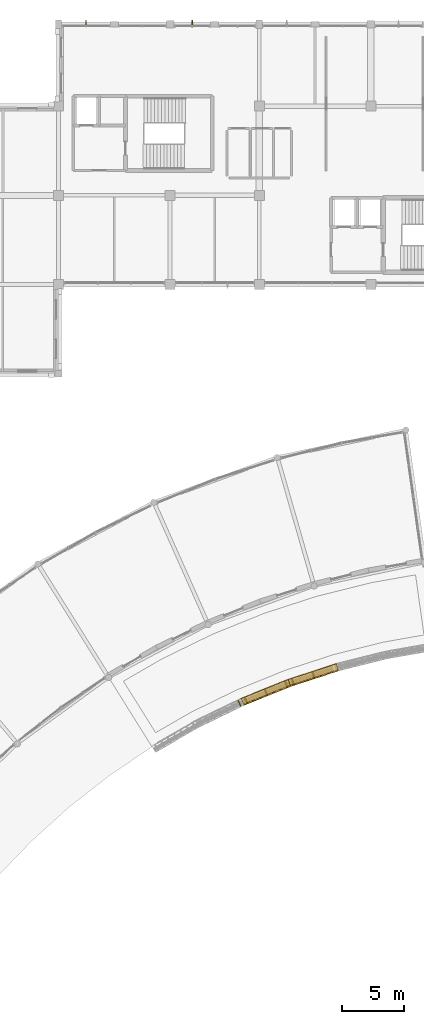
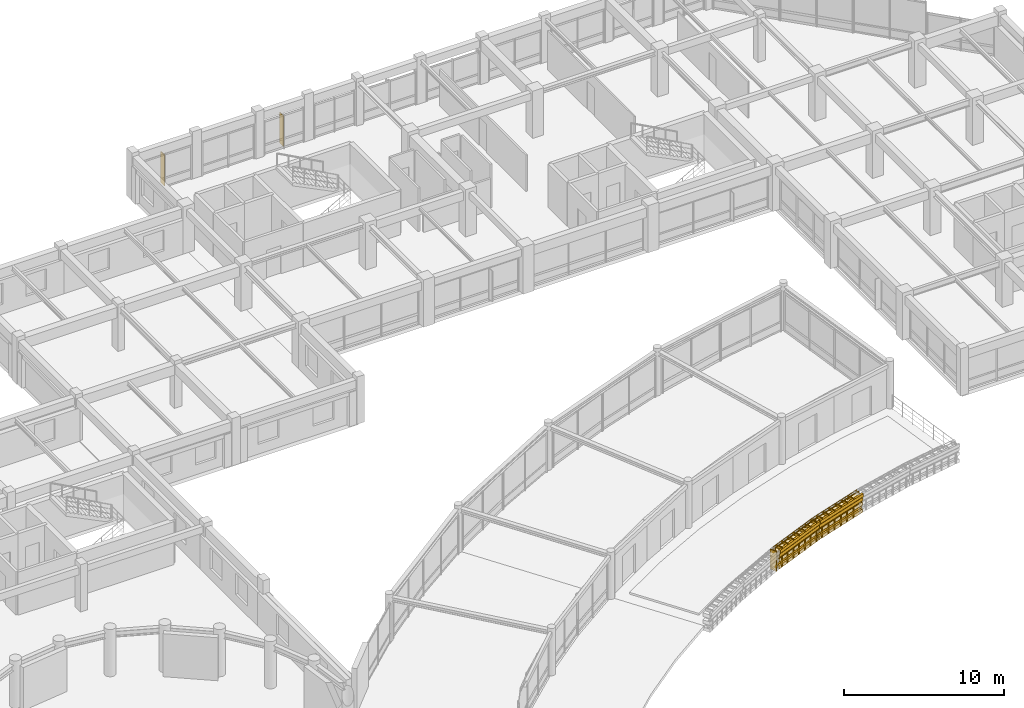
# One storey, part 72 of 74: 26 shading devices, 12 coverings, 4 railings.
"""IFC4 building model written with IfcOpenShell, lengths in metres."""

from ifc_helpers import new_model, si_unit, direction, frame, frame_2d, origin, origin_2d, place, context, subcontext, project, spatial, rectangle, circle, extrude, material, layer, layer_set, type_object, element, save


model = new_model("IFC4")

# Units and contexts
model_context = context("Model", 3, precision=1e-05, world=origin(), true_north=direction((0.0, 1.0)))
body_context = subcontext(model_context, "Body", "Model", "MODEL_VIEW")
ifc_project = project(units=[si_unit("LENGTHUNIT", "METRE"), si_unit("AREAUNIT", "SQUARE_METRE"), si_unit("VOLUMEUNIT", "CUBIC_METRE"), si_unit("PLANEANGLEUNIT", "RADIAN"), si_unit("MASSUNIT", "GRAM", prefix="KILO")], contexts=[model_context])

# Site, building, storey
site_placement = place(None, origin())
site = spatial("IfcSite", under=ifc_project, at=site_placement, CompositionType="ELEMENT")
building_placement = place(site_placement, origin())
building = spatial("IfcBuilding", under=site, at=building_placement, Name="Clarverna Civic Hall", CompositionType="ELEMENT")
storey_placement = place(building_placement, frame((0.0, 0.0, 9.60009765625)))
storey = spatial("IfcBuildingStorey", under=building, at=storey_placement, Name="L02", CompositionType="ELEMENT", Elevation=9.60009765625)

# Coverings
ifc_material_1 = material(Name="Thermally Modified Teak Wood Slat Fascia Cladding", Category="wood")
ifc_layer_1 = layer(ifc_material_1, 0.080078125)
ifc_layer_set_1 = layer_set([ifc_layer_1], Name="Thermally Modified Teak Wood Slat Fascia Cladding")
covering_type = type_object("IfcCoveringType", Name="CV-CL1", PredefinedType="CLADDING", material=ifc_layer_set_1)
for number, where, z_axis, x_axis, name in (
    (1, (135.9033203125, 64.15869140625, -0.380126953125), (0.0, 0.0, 1.0), (-0.951061260164, -0.309002393867, 0.0), "CV-CL1-105"),
    (2, (135.9033203125, 64.15869140625, 0.159912109375), (0.0, 0.0, 1.0), (-0.951061260164, -0.309002393867, 0.0), "CV-CL1-106"),
):
    element("IfcCovering", number, at=place(storey_placement, frame(where, z_axis=z_axis, x_axis=x_axis)), inside=storey, type_object=covering_type, Name=name, PredefinedType="CLADDING", context=body_context, shape_type="SweptSolid", body=[
        extrude(rectangle(XDim=4.09033203125, YDim=0.5, at=frame_2d((2.045166015625, 0.0))), origin(), (0.0, 0.0, 1.0), 0.260009765625),
    ])
covering_1_placement = place(storey_placement, frame((135.9033203125, 64.15869140625, 0.679931640625), z_axis=(0.0, 0.0, 1.0), x_axis=(-0.951061260164, -0.309002393867, 0.0)))
element("IfcCovering", 3, at=covering_1_placement, inside=storey, type_object=covering_type, Name="CV-CL1-107", PredefinedType="CLADDING", context=body_context, shape_type="SweptSolid", body=[
    extrude(rectangle(XDim=4.09033203125, YDim=0.5, at=frame_2d((2.045166015625, 0.0))), origin(), (0.0, 0.0, 1.0), 0.280029296875),
])
for number, where, z_axis, x_axis, name in (
    (4, (133.890380859375, 63.736083984375, -0.360107421875), (0.0, 0.0, 1.0), (0.309041914367, -0.951048418938, 0.0), "CV-CL1-109"),
    (5, (132.22314453125, 63.1943359375, -0.360107421875), (0.0, 0.0, 1.0), (0.309041914367, -0.951048418938, 0.0), "CV-CL1-110"),
):
    element("IfcCovering", number, at=place(storey_placement, frame(where, z_axis=z_axis, x_axis=x_axis)), inside=storey, type_object=covering_type, Name=name, PredefinedType="CLADDING", context=body_context, shape_type="SweptSolid", body=[
        extrude(rectangle(XDim=0.5, YDim=0.070068359375, at=frame_2d((0.25, 0.0))), origin(), (0.0, 0.0, 1.0), 1.52001953125),
    ])
for number, where, z_axis, x_axis, name in (
    (6, (132.02490234375, 62.899169921875, -0.380126953125), (0.0, 0.0, 1.0), (-0.927178450904, -0.374619967673, 0.0), "CV-CL1-111"),
    (7, (132.02490234375, 62.899169921875, 0.159912109375), (0.0, 0.0, 1.0), (-0.927178450904, -0.374619967673, 0.0), "CV-CL1-112"),
):
    element("IfcCovering", number, at=place(storey_placement, frame(where, z_axis=z_axis, x_axis=x_axis)), inside=storey, type_object=covering_type, Name=name, PredefinedType="CLADDING", context=body_context, shape_type="SweptSolid", body=[
        extrude(rectangle(XDim=4.090087890625, YDim=0.5, at=frame_2d((2.044921875, 0.0))), origin(), (0.0, 0.0, 1.0), 0.260009765625),
    ])
covering_2_placement = place(storey_placement, frame((132.02490234375, 62.899169921875, 0.679931640625), z_axis=(0.0, 0.0, 1.0), x_axis=(-0.927178450904, -0.374619967673, 0.0)))
element("IfcCovering", 8, at=covering_2_placement, inside=storey, type_object=covering_type, Name="CV-CL1-113", PredefinedType="CLADDING", context=body_context, shape_type="SweptSolid", body=[
    extrude(rectangle(XDim=4.090087890625, YDim=0.5, at=frame_2d((2.044921875, 0.0))), origin(), (0.0, 0.0, 1.0), 0.280029296875),
])
for number, where, z_axis, x_axis, name in (
    (9, (131.671630859375, 62.99365234375, -0.360107421875), (0.0, 0.0, 1.0), (0.374503415005, -0.927225534673, 0.0), "CV-CL1-114"),
    (10, (130.04638671875, 62.3369140625, -0.360107421875), (0.0, 0.0, 1.0), (0.374503415005, -0.927225534673, 0.0), "CV-CL1-115"),
    (11, (128.421142578125, 61.680419921875, -0.360107421875), (0.0, 0.0, 1.0), (0.374503415005, -0.927225534673, 0.0), "CV-CL1-116"),
    (12, (127.885009765625, 61.441650390625, -0.360107421875), (0.0, 0.0, 1.0), (0.438404394789, -0.898777829405, 0.0), "CV-CL1-120"),
):
    element("IfcCovering", number, at=place(storey_placement, frame(where, z_axis=z_axis, x_axis=x_axis)), inside=storey, type_object=covering_type, Name=name, PredefinedType="CLADDING", context=body_context, shape_type="SweptSolid", body=[
        extrude(rectangle(XDim=0.5, YDim=0.070068359375, at=frame_2d((0.25, 0.0))), origin(), (0.0, 0.0, 1.0), 1.52001953125),
    ])

# Railings
ifc_material_2 = material(Name="Anodised Bronze Architectural Balustrade")
railing_type_1 = type_object("IfcRailingType", Name="GR-01", PredefinedType="BALUSTRADE", material=ifc_material_2)
railing_1_placement = place(storey_placement, frame((135.8291015625, 64.386962890625, 0.0)))
element("IfcRailing", 13, at=railing_1_placement, inside=storey, type_object=railing_type_1, Name="GR-01-019", PredefinedType="BALUSTRADE", context=body_context, shape_type="SweptSolid", body=[
    extrude(circle(Radius=0.02392578125, at=origin_2d()), frame((0.0, 0.0, 1.09619140625), z_axis=(-0.951055560564, -0.309019935796, 0.0), x_axis=(0.309019935796, -0.951055560564, 0.0)), (0.0, 0.0, 1.0), 4.090087890625),
    extrude(circle(Radius=0.011962890625, at=origin_2d()), frame((0.0, 0.0, 0.39208984375), z_axis=(-0.951055560564, -0.309019935796, 0.0), x_axis=(0.309019935796, -0.951055560564, 0.0)), (0.0, 0.0, 1.0), 4.090087890625),
    extrude(circle(Radius=0.011962890625, at=origin_2d()), frame((0.0, 0.0, 0.76171875), z_axis=(-0.951055560564, -0.309019935796, 0.0), x_axis=(0.309019935796, -0.951055560564, 0.0)), (0.0, 0.0, 1.0), 4.090087890625),
    extrude(circle(Radius=0.02099609375, at=origin_2d()), origin(), (0.0, 0.0, 1.0), 1.072021484375),
    extrude(circle(Radius=0.02099609375, at=origin_2d()), frame((-0.972412109375, -0.31591796875, 0.0)), (0.0, 0.0, 1.0), 1.072021484375),
    extrude(circle(Radius=0.02099609375, at=origin_2d()), frame((-1.94482421875, -0.6318359375, 0.0)), (0.0, 0.0, 1.0), 1.072021484375),
    extrude(circle(Radius=0.02099609375, at=origin_2d()), frame((-2.91748046875, -0.947998046875, 0.0)), (0.0, 0.0, 1.0), 1.072021484375),
    extrude(circle(Radius=0.02099609375, at=origin_2d()), frame((-3.889892578125, -1.263916015625, 0.0)), (0.0, 0.0, 1.0), 1.072021484375),
])
railing_2_placement = place(storey_placement, frame((131.93505859375, 63.12158203125, 0.0)))
element("IfcRailing", 14, at=railing_2_placement, inside=storey, type_object=railing_type_1, Name="GR-01-020", PredefinedType="BALUSTRADE", context=body_context, shape_type="SweptSolid", body=[
    extrude(circle(Radius=0.02392578125, at=origin_2d()), frame((0.0, 0.0, 1.09619140625), z_axis=(-0.927186827234, -0.374599235723, 0.0), x_axis=(0.374599235723, -0.927186827234, 0.0)), (0.0, 0.0, 1.0), 4.09033203125),
    extrude(circle(Radius=0.011962890625, at=origin_2d()), frame((0.0, 0.0, 0.39208984375), z_axis=(-0.927186827234, -0.374599235723, 0.0), x_axis=(0.374599235723, -0.927186827234, 0.0)), (0.0, 0.0, 1.0), 4.09033203125),
    extrude(circle(Radius=0.011962890625, at=origin_2d()), frame((0.0, 0.0, 0.76171875), z_axis=(-0.927186827234, -0.374599235723, 0.0), x_axis=(0.374599235723, -0.927186827234, 0.0)), (0.0, 0.0, 1.0), 4.09033203125),
    extrude(circle(Radius=0.02099609375, at=origin_2d()), origin(), (0.0, 0.0, 1.0), 1.072021484375),
    extrude(circle(Radius=0.02099609375, at=origin_2d()), frame((-0.9482421875, -0.383056640625, 0.0)), (0.0, 0.0, 1.0), 1.072021484375),
    extrude(circle(Radius=0.02099609375, at=origin_2d()), frame((-1.896240234375, -0.76611328125, 0.0)), (0.0, 0.0, 1.0), 1.072021484375),
    extrude(circle(Radius=0.02099609375, at=origin_2d()), frame((-2.84423828125, -1.149169921875, 0.0)), (0.0, 0.0, 1.0), 1.072021484375),
    extrude(circle(Radius=0.02099609375, at=origin_2d()), frame((-3.79248046875, -1.5322265625, 0.0)), (0.0, 0.0, 1.0), 1.072021484375),
])
ifc_material_3 = material(Name="Thermally Modified Teak Wood Slat Fascia Rail", Category="wood")
railing_type_2 = type_object("IfcRailingType", Name="GR-03", PredefinedType="BALUSTRADE", material=ifc_material_3)
railing_3_placement = place(storey_placement, frame((135.856201171875, 64.20654296875, 0.0)))
element("IfcRailing", 15, at=railing_3_placement, inside=storey, type_object=railing_type_2, Name="GR-03-008", PredefinedType="BALUSTRADE", context=body_context, shape_type="SweptSolid", body=[
    extrude(circle(Radius=0.02392578125, at=origin_2d()), frame((0.0, 0.0, 1.09619140625), z_axis=(-0.951060775272, -0.309003886284, 0.0), x_axis=(0.309003886284, -0.951060775272, 0.0)), (0.0, 0.0, 1.0), 4.0302734375),
    extrude(circle(Radius=0.011962890625, at=origin_2d()), frame((0.0, 0.0, 0.39208984375), z_axis=(-0.951060775272, -0.309003886284, 0.0), x_axis=(0.309003886284, -0.951060775272, 0.0)), (0.0, 0.0, 1.0), 4.0302734375),
    extrude(circle(Radius=0.011962890625, at=origin_2d()), frame((0.0, 0.0, 0.76171875), z_axis=(-0.951060775272, -0.309003886284, 0.0), x_axis=(0.309003886284, -0.951060775272, 0.0)), (0.0, 0.0, 1.0), 4.0302734375),
    extrude(circle(Radius=0.02099609375, at=origin_2d()), origin(), (0.0, 0.0, 1.0), 1.072021484375),
    extrude(circle(Radius=0.02099609375, at=origin_2d()), frame((-0.958251953125, -0.311279296875, 0.0)), (0.0, 0.0, 1.0), 1.072021484375),
    extrude(circle(Radius=0.02099609375, at=origin_2d()), frame((-1.91650390625, -0.62255859375, 0.0)), (0.0, 0.0, 1.0), 1.072021484375),
    extrude(circle(Radius=0.02099609375, at=origin_2d()), frame((-2.874755859375, -0.93408203125, 0.0)), (0.0, 0.0, 1.0), 1.072021484375),
    extrude(circle(Radius=0.02099609375, at=origin_2d()), frame((-3.8330078125, -1.245361328125, 0.0)), (0.0, 0.0, 1.0), 1.072021484375),
])
railing_4_placement = place(storey_placement, frame((131.974609375, 62.943603515625, 0.0)))
element("IfcRailing", 16, at=railing_4_placement, inside=storey, type_object=railing_type_2, Name="GR-03-009", PredefinedType="BALUSTRADE", context=body_context, shape_type="SweptSolid", body=[
    extrude(circle(Radius=0.02392578125, at=origin_2d()), frame((0.0, 0.0, 1.09619140625), z_axis=(-0.927175887881, -0.374626311052, 0.0), x_axis=(0.374626311052, -0.927175887881, 0.0)), (0.0, 0.0, 1.0), 4.030029296875),
    extrude(circle(Radius=0.011962890625, at=origin_2d()), frame((0.0, 0.0, 0.39208984375), z_axis=(-0.927175887881, -0.374626311052, 0.0), x_axis=(0.374626311052, -0.927175887881, 0.0)), (0.0, 0.0, 1.0), 4.030029296875),
    extrude(circle(Radius=0.011962890625, at=origin_2d()), frame((0.0, 0.0, 0.76171875), z_axis=(-0.927175887881, -0.374626311052, 0.0), x_axis=(0.374626311052, -0.927175887881, 0.0)), (0.0, 0.0, 1.0), 4.030029296875),
    extrude(circle(Radius=0.02099609375, at=origin_2d()), origin(), (0.0, 0.0, 1.0), 1.072021484375),
    extrude(circle(Radius=0.02099609375, at=origin_2d()), frame((-0.93408203125, -0.37744140625, 0.0)), (0.0, 0.0, 1.0), 1.072021484375),
    extrude(circle(Radius=0.02099609375, at=origin_2d()), frame((-1.8681640625, -0.7548828125, 0.0)), (0.0, 0.0, 1.0), 1.072021484375),
    extrude(circle(Radius=0.02099609375, at=origin_2d()), frame((-2.802490234375, -1.13232421875, 0.0)), (0.0, 0.0, 1.0), 1.072021484375),
    extrude(circle(Radius=0.02099609375, at=origin_2d()), frame((-3.736572265625, -1.509765625, 0.0)), (0.0, 0.0, 1.0), 1.072021484375),
])

# Shading devices
ifc_material_4 = material(Name="Anodised Bronze Architectural Solar Fin", Category="aluminium")
ifc_layer_2 = layer(ifc_material_4, 0.054931640625)
ifc_layer_set_2 = layer_set([ifc_layer_2], Name="Anodised Bronze Architectural Solar Fin")
shading_device_type_1 = type_object("IfcShadingDeviceType", Name="SD-FN1", PredefinedType="USERDEFINED", material=ifc_layer_set_2)
for number, where, z_axis, x_axis, name in (
    (17, (115.612548828125, 115.830078125, 0.14990234375), (0.0, 0.0, 1.0), (0.0, 1.0, 0.0), "SD-FN1-015"),
    (18, (124.1875, 115.830078125, 0.14990234375), (0.0, 0.0, 1.0), (0.0, 1.0, 0.0), "SD-FN1-016"),
):
    element("IfcShadingDevice", number, at=place(storey_placement, frame(where, z_axis=z_axis, x_axis=x_axis)), inside=storey, type_object=shading_device_type_1, Name=name, ObjectType="FIN", PredefinedType="USERDEFINED", context=body_context, shape_type="SweptSolid", body=[
        extrude(rectangle(XDim=0.47998046875, YDim=0.054931640625, at=frame_2d((0.239990234375, 0.0))), origin(), (0.0, 0.0, 1.0), 2.340087890625),
    ])
ifc_material_5 = material(Name="Thermally Modified Teak Wood Slats", Category="wood")
ifc_layer_3 = layer(ifc_material_5, 0.06494140625)
ifc_layer_set_3 = layer_set([ifc_layer_3], Name="Thermally Modified Teak Wood Slats")
shading_device_type_2 = type_object("IfcShadingDeviceType", Name="SD-WD1", PredefinedType="JALOUSIE", material=ifc_layer_set_3)
for number, where, z_axis, x_axis, name in (
    (19, (135.88720703125, 64.111328125, -0.360107421875), (0.0, 0.0, 1.0), (-0.951060775272, -0.309003886284, 0.0), "SD-WD1-091"),
    (20, (135.90576171875, 64.05419921875, -0.080078125), (0.0, 0.0, 1.0), (-0.95107857652, -0.308949091736, 0.0), "SD-WD1-092"),
    (21, (135.92431640625, 63.997314453125, 0.219970703125), (0.0, 0.0, 1.0), (-0.951060775272, -0.309003886284, 0.0), "SD-WD1-093"),
):
    element("IfcShadingDevice", number, at=place(storey_placement, frame(where, z_axis=z_axis, x_axis=x_axis)), inside=storey, type_object=shading_device_type_2, Name=name, PredefinedType="JALOUSIE", context=body_context, shape_type="SweptSolid", body=[
        extrude(rectangle(XDim=4.0302734375, YDim=0.139892578125, at=frame_2d((2.01513671875, 0.0))), origin(), (0.0, 0.0, 1.0), 0.239990234375),
    ])
shading_device_1_placement = place(storey_placement, frame((135.94287109375, 63.940185546875, 0.539794921875), z_axis=(0.0, 0.0, 1.0), x_axis=(-0.951066558882, -0.308986084762, 0.0)))
element("IfcShadingDevice", 22, at=shading_device_1_placement, inside=storey, type_object=shading_device_type_2, Name="SD-WD1-094", PredefinedType="JALOUSIE", context=body_context, shape_type="SweptSolid", body=[
    extrude(rectangle(XDim=4.030517578125, YDim=0.139892578125, at=frame_2d((2.01513671875, 0.0))), origin(), (0.0, 0.0, 1.0), 0.239990234375),
])
shading_device_2_placement = place(storey_placement, frame((135.958251953125, 63.892578125, 0.85986328125), z_axis=(0.0, 0.0, 1.0), x_axis=(-0.951060775272, -0.309003886284, 0.0)))
element("IfcShadingDevice", 23, at=shading_device_2_placement, inside=storey, type_object=shading_device_type_2, Name="SD-WD1-095", PredefinedType="JALOUSIE", context=body_context, shape_type="SweptSolid", body=[
    extrude(rectangle(XDim=4.0302734375, YDim=0.139892578125, at=frame_2d((2.01513671875, 0.0))), origin(), (0.0, 0.0, 1.0), 0.239990234375),
])
for number, where, z_axis, x_axis, name in (
    (24, (135.001708984375, 64.09716796875, -0.360107421875), (0.0, 0.0, 1.0), (0.309041914367, -0.951048418938, 0.0), "SD-WD1-097"),
    (25, (134.446044921875, 63.91650390625, -0.360107421875), (0.0, 0.0, 1.0), (0.309041914367, -0.951048418938, 0.0), "SD-WD1-098"),
    (26, (133.890380859375, 63.736083984375, -0.360107421875), (0.0, 0.0, 1.0), (0.309041914367, -0.951048418938, 0.0), "SD-WD1-099"),
    (27, (133.334716796875, 63.555419921875, -0.360107421875), (0.0, 0.0, 1.0), (0.308600224758, -0.951191832008, 0.0), "SD-WD1-100"),
    (28, (132.77880859375, 63.375, -0.360107421875), (0.0, 0.0, 1.0), (0.309041914367, -0.951048418938, 0.0), "SD-WD1-101"),
    (29, (132.22314453125, 63.1943359375, -0.360107421875), (0.0, 0.0, 1.0), (0.309041914367, -0.951048418938, 0.0), "SD-WD1-102"),
):
    element("IfcShadingDevice", number, at=place(storey_placement, frame(where, z_axis=z_axis, x_axis=x_axis)), inside=storey, type_object=shading_device_type_2, Name=name, PredefinedType="JALOUSIE", context=body_context, shape_type="SweptSolid", body=[
        extrude(rectangle(XDim=0.5, YDim=0.06494140625, at=frame_2d((0.25, 0.0))), origin(), (0.0, 0.0, 1.0), 1.5),
    ])
for number, where, z_axis, x_axis, name in (
    (30, (132.01220703125, 62.850830078125, -0.360107421875), (0.0, 0.0, 1.0), (-0.927184389248, -0.374605270032, 0.0), "SD-WD1-103"),
    (31, (132.03466796875, 62.795166015625, -0.080078125), (0.0, 0.0, 1.0), (-0.927184389248, -0.374605270032, 0.0), "SD-WD1-104"),
    (32, (132.05712890625, 62.739501953125, 0.219970703125), (0.0, 0.0, 1.0), (-0.927184389248, -0.374605270032, 0.0), "SD-WD1-105"),
):
    element("IfcShadingDevice", number, at=place(storey_placement, frame(where, z_axis=z_axis, x_axis=x_axis)), inside=storey, type_object=shading_device_type_2, Name=name, PredefinedType="JALOUSIE", context=body_context, shape_type="SweptSolid", body=[
        extrude(rectangle(XDim=4.0302734375, YDim=0.139892578125, at=frame_2d((2.01513671875, 0.0))), origin(), (0.0, 0.0, 1.0), 0.239990234375),
    ])
shading_device_3_placement = place(storey_placement, frame((132.07958984375, 62.683837890625, 0.539794921875), z_axis=(0.0, 0.0, 1.0), x_axis=(-0.927196929001, -0.374574231429, 0.0)))
element("IfcShadingDevice", 33, at=shading_device_3_placement, inside=storey, type_object=shading_device_type_2, Name="SD-WD1-106", PredefinedType="JALOUSIE", context=body_context, shape_type="SweptSolid", body=[
    extrude(rectangle(XDim=4.030029296875, YDim=0.139892578125, at=frame_2d((2.01513671875, 0.0))), origin(), (0.0, 0.0, 1.0), 0.239990234375),
])
shading_device_4_placement = place(storey_placement, frame((132.098388671875, 62.637451171875, 0.85986328125), z_axis=(0.0, 0.0, 1.0), x_axis=(-0.927184389248, -0.374605270032, 0.0)))
element("IfcShadingDevice", 34, at=shading_device_4_placement, inside=storey, type_object=shading_device_type_2, Name="SD-WD1-107", PredefinedType="JALOUSIE", context=body_context, shape_type="SweptSolid", body=[
    extrude(rectangle(XDim=4.0302734375, YDim=0.139892578125, at=frame_2d((2.01513671875, 0.0))), origin(), (0.0, 0.0, 1.0), 0.239990234375),
])
for number, where, z_axis, x_axis, name in (
    (35, (131.671630859375, 62.99365234375, -0.360107421875), (0.0, 0.0, 1.0), (0.374503415005, -0.927225534673, 0.0), "SD-WD1-108"),
    (36, (131.1298828125, 62.77490234375, -0.360107421875), (0.0, 0.0, 1.0), (0.374923088972, -0.927055919217, 0.0), "SD-WD1-109"),
    (37, (130.588134765625, 62.555908203125, -0.360107421875), (0.0, 0.0, 1.0), (0.374503415005, -0.927225534673, 0.0), "SD-WD1-110"),
    (38, (130.04638671875, 62.3369140625, -0.360107421875), (0.0, 0.0, 1.0), (0.374503415005, -0.927225534673, 0.0), "SD-WD1-111"),
    (39, (129.504638671875, 62.1181640625, -0.360107421875), (0.0, 0.0, 1.0), (0.374503415005, -0.927225534673, 0.0), "SD-WD1-112"),
    (40, (128.962890625, 61.899169921875, -0.360107421875), (0.0, 0.0, 1.0), (0.374503415005, -0.927225534673, 0.0), "SD-WD1-113"),
    (41, (128.421142578125, 61.680419921875, -0.360107421875), (0.0, 0.0, 1.0), (0.374503415005, -0.927225534673, 0.0), "SD-WD1-114"),
    (42, (127.885009765625, 61.441650390625, -0.360107421875), (0.0, 0.0, 1.0), (0.438404394789, -0.898777829405, 0.0), "SD-WD1-120"),
):
    element("IfcShadingDevice", number, at=place(storey_placement, frame(where, z_axis=z_axis, x_axis=x_axis)), inside=storey, type_object=shading_device_type_2, Name=name, PredefinedType="JALOUSIE", context=body_context, shape_type="SweptSolid", body=[
        extrude(rectangle(XDim=0.5, YDim=0.06494140625, at=frame_2d((0.25, 0.0))), origin(), (0.0, 0.0, 1.0), 1.5),
    ])

save(model, "model.ifc")
